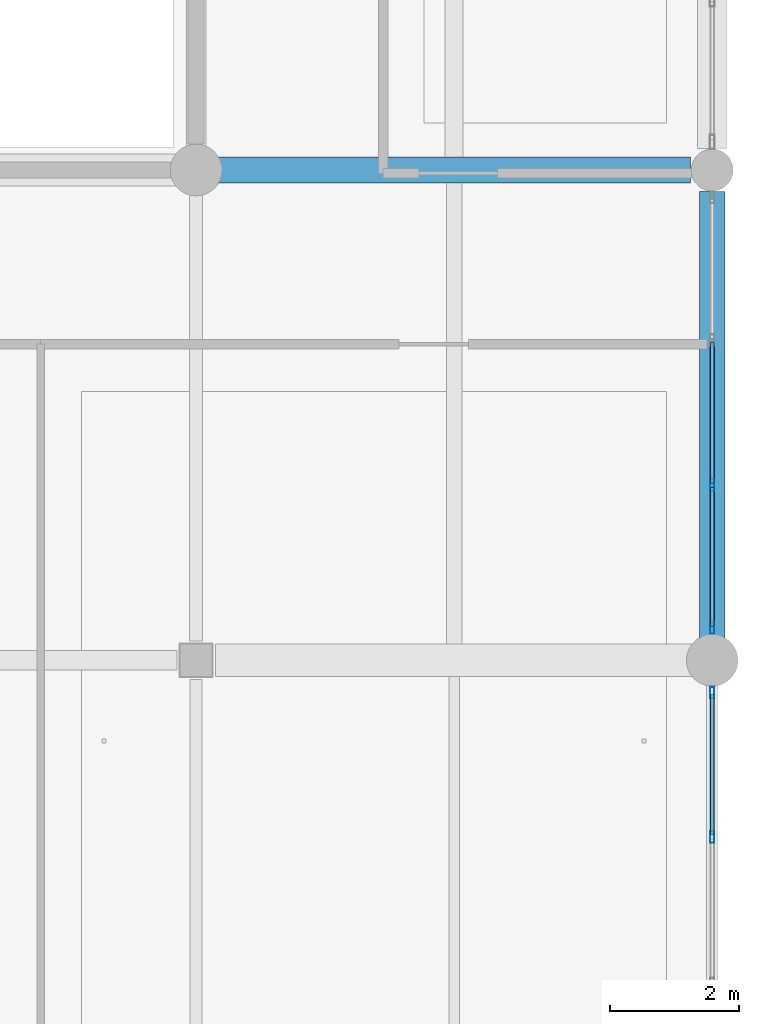
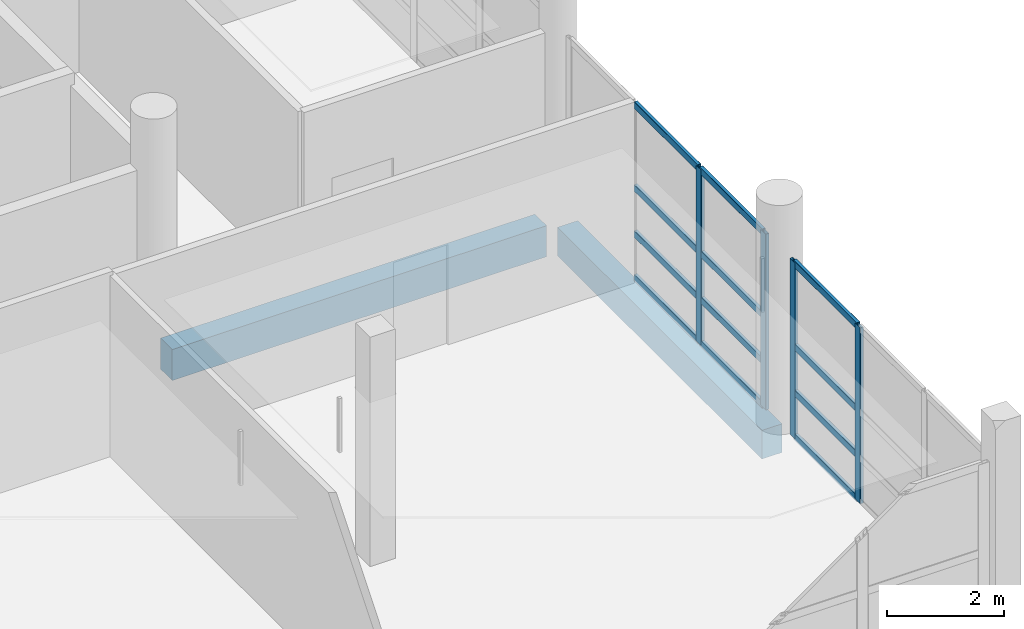
# One storey, part 20 of 46: 16 members, 2 beams, 2 elements without a shape of their own.
"""IFC4 building model written with IfcOpenShell, lengths in metres."""

from ifc_helpers import new_model, si_unit, direction, frame, origin, origin_2d, place, context, subcontext, project, spatial, rectangle, hollow_rectangle, extrude, material, material_profile, profile_set, type_object, element, aggregate, save


model = new_model("IFC4")

# Units and contexts
model_context = context("Model", 3, precision=1e-05, world=origin(), true_north=direction((0.0, 1.0)))
body_context = subcontext(model_context, "Body", "Model", "MODEL_VIEW")
ifc_project = project(units=[si_unit("LENGTHUNIT", "METRE"), si_unit("AREAUNIT", "SQUARE_METRE"), si_unit("VOLUMEUNIT", "CUBIC_METRE"), si_unit("PLANEANGLEUNIT", "RADIAN"), si_unit("MASSUNIT", "GRAM", prefix="KILO")], contexts=[model_context])

# Site, building, storey
site_placement = place(None, origin())
site = spatial("IfcSite", under=ifc_project, at=site_placement, CompositionType="ELEMENT")
building_placement = place(site_placement, origin())
building = spatial("IfcBuilding", under=site, at=building_placement, Name="Khelvaren Railside Concert Hall", CompositionType="ELEMENT")
storey_placement = place(building_placement, frame((0.0, 0.0, 19.800048828125)))
storey = spatial("IfcBuildingStorey", under=building, at=storey_placement, Name="L04", CompositionType="ELEMENT", Elevation=19.800048828125)

# Beam
ifc_material_1 = material(Name="Concrete C40/50", Category="concrete")
ifc_material_profile_1 = material_profile(ifc_material_1, rectangle(XDim=0.39990234375, YDim=0.64990234375, at=origin_2d()), Name="RCB 400x650")
ifc_profile_set_1 = profile_set([ifc_material_profile_1], Name="Concrete C40/50")
beam_type_1 = type_object("IfcBeamType", Name="BM33", PredefinedType="BEAM", material=ifc_profile_set_1)
beam_1_placement = place(storey_placement, frame((176.25, 106.39990234375, -0.594970703125), z_axis=(1.0, 0.0, 0.0), x_axis=(0.0, 1.0, 0.0)))
element("IfcBeam", 1, at=beam_1_placement, inside=storey, type_object=beam_type_1, Name="V5 L04 Beam X4.7", PredefinedType="BEAM", context=body_context, shape_type="SweptSolid", body=[
    extrude(rectangle(XDim=0.39990234375, YDim=0.64990234375, at=origin_2d()), origin(), (0.0, 0.0, 1.0), 7.4140625),
])

# Curtain wall, members
ifc_material_2 = material(Name="Double-glazed low-E dark acoustic glass", Category="glass")
curtain_wall_type_1 = type_object("IfcCurtainWallType", Name="CW32", PredefinedType="USERDEFINED", material=ifc_material_2)
curtain_wall_1_placement = place(storey_placement, origin())
curtain_wall_1 = element("IfcCurtainWall", 2, at=curtain_wall_1_placement, inside=storey, type_object=curtain_wall_type_1, Name="Unitised Curtain Wall CW-V5-L04-E-91", ObjectType="UNITISED CURTAIN WALL", PredefinedType="USERDEFINED")
ifc_material_3 = material(Name="Anodised architectural aluminium 6063-T6", Category="aluminium")
ifc_material_profile_2 = material_profile(ifc_material_3, hollow_rectangle(XDim=0.06494140625, YDim=0.179931640625, WallThickness=0.00390625, InnerFilletRadius=0.001953125, OuterFilletRadius=0.00390625, at=origin_2d()), Name="CWM 65x180x4")
ifc_profile_set_2 = profile_set([ifc_material_profile_2], Name="Anodised architectural aluminium 6063-T6")
member_type_1 = type_object("IfcMemberType", Name="CWM63", PredefinedType="MULLION", material=ifc_profile_set_2)
member_1_placement = place(storey_placement, frame((184.0, 98.300048828125, 0.0), z_axis=(0.0, 0.0, 1.0), x_axis=(1.0, 0.0, 0.0)))
member_1 = element("IfcMember", 3, at=member_1_placement, type_object=member_type_1, Name="CW32 mullion 1", PredefinedType="MULLION", context=body_context, shape_type="SweptSolid", body=[
    extrude(hollow_rectangle(XDim=0.06494140625, YDim=0.179931640625, WallThickness=0.00390625, InnerFilletRadius=0.001953125, OuterFilletRadius=0.00390625, at=origin_2d()), origin(), (0.0, 0.0, 1.0), 3.679931640625),
])
member_2_placement = place(storey_placement, frame((184.0, 96.060791015625, 0.0), z_axis=(0.0, 0.0, 1.0), x_axis=(1.0, 0.0, 0.0)))
member_2 = element("IfcMember", 4, at=member_2_placement, type_object=member_type_1, Name="CW32 mullion 2", PredefinedType="MULLION", context=body_context, shape_type="SweptSolid", body=[
    extrude(hollow_rectangle(XDim=0.06494140625, YDim=0.179931640625, WallThickness=0.00390625, InnerFilletRadius=0.001953125, OuterFilletRadius=0.00390625, at=origin_2d()), origin(), (0.0, 0.0, 1.0), 3.679931640625),
])

curtain_wall_type_2 = type_object("IfcCurtainWallType", Name="CW94", PredefinedType="USERDEFINED", material=ifc_material_2)
curtain_wall_2_placement = place(storey_placement, origin())
curtain_wall_2 = element("IfcCurtainWall", 5, at=curtain_wall_2_placement, inside=storey, type_object=curtain_wall_type_2, Name="Unitised Curtain Wall CW-V5-L04-E-99", ObjectType="UNITISED CURTAIN WALL", PredefinedType="USERDEFINED")
member_3_placement = place(storey_placement, frame((184.0, 101.51416015625, 0.0), z_axis=(0.0, 0.0, 1.0), x_axis=(1.0, 0.0, 0.0)))
member_3 = element("IfcMember", 6, at=member_3_placement, type_object=member_type_1, Name="CW94 mullion 3", PredefinedType="MULLION", context=body_context, shape_type="SweptSolid", body=[
    extrude(hollow_rectangle(XDim=0.06494140625, YDim=0.179931640625, WallThickness=0.00390625, InnerFilletRadius=0.001953125, OuterFilletRadius=0.00390625, at=origin_2d()), origin(), (0.0, 0.0, 1.0), 3.679931640625),
])
member_4_placement = place(storey_placement, frame((184.0, 99.300048828125, 0.0), z_axis=(0.0, 0.0, 1.0), x_axis=(1.0, 0.0, 0.0)))
member_4 = element("IfcMember", 7, at=member_4_placement, type_object=member_type_1, Name="CW94 mullion 4", PredefinedType="MULLION", context=body_context, shape_type="SweptSolid", body=[
    extrude(hollow_rectangle(XDim=0.06494140625, YDim=0.179931640625, WallThickness=0.00390625, InnerFilletRadius=0.001953125, OuterFilletRadius=0.00390625, at=origin_2d()), origin(), (0.0, 0.0, 1.0), 3.679931640625),
])

# Member
ifc_material_profile_3 = material_profile(ifc_material_3, hollow_rectangle(XDim=0.06494140625, YDim=0.139892578125, WallThickness=0.00390625, InnerFilletRadius=0.001953125, OuterFilletRadius=0.00390625, at=origin_2d()), Name="CWT 65x140x4")
ifc_profile_set_3 = profile_set([ifc_material_profile_3], Name="Anodised architectural aluminium 6063-T6")
member_type_2 = type_object("IfcMemberType", Name="CWT72", PredefinedType="USERDEFINED", material=ifc_profile_set_3)
member_5_placement = place(storey_placement, frame((184.0, 98.267578125, 0.032470703125), z_axis=(0.0, -1.0, 0.0), x_axis=(1.0, 0.0, 0.0)))
member_5 = element("IfcMember", 8, at=member_5_placement, type_object=member_type_2, Name="CW32 transom 1.1", ObjectType="TRANSOM", PredefinedType="USERDEFINED", context=body_context, shape_type="SweptSolid", body=[
    extrude(hollow_rectangle(XDim=0.06494140625, YDim=0.139892578125, WallThickness=0.00390625, InnerFilletRadius=0.001953125, OuterFilletRadius=0.00390625, at=origin_2d()), origin(), (0.0, 0.0, 1.0), 2.17431640625),
])

member_6_placement = place(storey_placement, frame((184.0, 98.267578125, 0.949951171875), z_axis=(0.0, -1.0, 0.0), x_axis=(1.0, 0.0, 0.0)))
member_6 = element("IfcMember", 9, at=member_6_placement, type_object=member_type_2, Name="CW32 transom 1.2", ObjectType="TRANSOM", PredefinedType="USERDEFINED", context=body_context, shape_type="SweptSolid", body=[
    extrude(hollow_rectangle(XDim=0.06494140625, YDim=0.139892578125, WallThickness=0.00390625, InnerFilletRadius=0.001953125, OuterFilletRadius=0.00390625, at=origin_2d()), origin(), (0.0, 0.0, 1.0), 2.17431640625),
])

member_7_placement = place(storey_placement, frame((184.0, 98.267578125, 1.91357421875), z_axis=(0.0, -1.0, 0.0), x_axis=(1.0, 0.0, 0.0)))
member_7 = element("IfcMember", 10, at=member_7_placement, type_object=member_type_2, Name="CW32 transom 1.3", ObjectType="TRANSOM", PredefinedType="USERDEFINED", context=body_context, shape_type="SweptSolid", body=[
    extrude(hollow_rectangle(XDim=0.06494140625, YDim=0.139892578125, WallThickness=0.00390625, InnerFilletRadius=0.001953125, OuterFilletRadius=0.00390625, at=origin_2d()), origin(), (0.0, 0.0, 1.0), 2.17431640625),
])

member_8_placement = place(storey_placement, frame((184.0, 98.267578125, 3.6474609375), z_axis=(0.0, -1.0, 0.0), x_axis=(1.0, 0.0, 0.0)))
member_8 = element("IfcMember", 11, at=member_8_placement, type_object=member_type_2, Name="CW32 transom 1.4", ObjectType="TRANSOM", PredefinedType="USERDEFINED", context=body_context, shape_type="SweptSolid", body=[
    extrude(hollow_rectangle(XDim=0.06494140625, YDim=0.139892578125, WallThickness=0.00390625, InnerFilletRadius=0.001953125, OuterFilletRadius=0.00390625, at=origin_2d()), origin(), (0.0, 0.0, 1.0), 2.17431640625),
])

aggregate(curtain_wall_1, [member_1, member_2, member_5, member_6, member_7, member_8])

member_9_placement = place(storey_placement, frame((184.0, 103.728271484375, 0.032470703125), z_axis=(0.0, -1.0, 0.0), x_axis=(1.0, 0.0, 0.0)))
member_9 = element("IfcMember", 12, at=member_9_placement, type_object=member_type_2, Name="CW94 transom 2.1", ObjectType="TRANSOM", PredefinedType="USERDEFINED", context=body_context, shape_type="SweptSolid", body=[
    extrude(hollow_rectangle(XDim=0.06494140625, YDim=0.139892578125, WallThickness=0.00390625, InnerFilletRadius=0.001953125, OuterFilletRadius=0.00390625, at=origin_2d()), origin(), (0.0, 0.0, 1.0), 2.181640625),
])

member_10_placement = place(storey_placement, frame((184.0, 103.728271484375, 0.949951171875), z_axis=(0.0, -1.0, 0.0), x_axis=(1.0, 0.0, 0.0)))
member_10 = element("IfcMember", 13, at=member_10_placement, type_object=member_type_2, Name="CW94 transom 2.2", ObjectType="TRANSOM", PredefinedType="USERDEFINED", context=body_context, shape_type="SweptSolid", body=[
    extrude(hollow_rectangle(XDim=0.06494140625, YDim=0.139892578125, WallThickness=0.00390625, InnerFilletRadius=0.001953125, OuterFilletRadius=0.00390625, at=origin_2d()), origin(), (0.0, 0.0, 1.0), 2.181640625),
])

member_11_placement = place(storey_placement, frame((184.0, 103.728271484375, 1.91357421875), z_axis=(0.0, -1.0, 0.0), x_axis=(1.0, 0.0, 0.0)))
member_11 = element("IfcMember", 14, at=member_11_placement, type_object=member_type_2, Name="CW94 transom 2.3", ObjectType="TRANSOM", PredefinedType="USERDEFINED", context=body_context, shape_type="SweptSolid", body=[
    extrude(hollow_rectangle(XDim=0.06494140625, YDim=0.139892578125, WallThickness=0.00390625, InnerFilletRadius=0.001953125, OuterFilletRadius=0.00390625, at=origin_2d()), origin(), (0.0, 0.0, 1.0), 2.181640625),
])

member_12_placement = place(storey_placement, frame((184.0, 103.728271484375, 3.6474609375), z_axis=(0.0, -1.0, 0.0), x_axis=(1.0, 0.0, 0.0)))
member_12 = element("IfcMember", 15, at=member_12_placement, type_object=member_type_2, Name="CW94 transom 2.4", ObjectType="TRANSOM", PredefinedType="USERDEFINED", context=body_context, shape_type="SweptSolid", body=[
    extrude(hollow_rectangle(XDim=0.06494140625, YDim=0.139892578125, WallThickness=0.00390625, InnerFilletRadius=0.001953125, OuterFilletRadius=0.00390625, at=origin_2d()), origin(), (0.0, 0.0, 1.0), 2.181640625),
])

member_13_placement = place(storey_placement, frame((184.0, 101.481689453125, 0.032470703125), z_axis=(0.0, -1.0, 0.0), x_axis=(1.0, 0.0, 0.0)))
member_13 = element("IfcMember", 16, at=member_13_placement, type_object=member_type_2, Name="CW94 transom 3.1", ObjectType="TRANSOM", PredefinedType="USERDEFINED", context=body_context, shape_type="SweptSolid", body=[
    extrude(hollow_rectangle(XDim=0.06494140625, YDim=0.139892578125, WallThickness=0.00390625, InnerFilletRadius=0.001953125, OuterFilletRadius=0.00390625, at=origin_2d()), origin(), (0.0, 0.0, 1.0), 2.149169921875),
])

member_14_placement = place(storey_placement, frame((184.0, 101.481689453125, 0.949951171875), z_axis=(0.0, -1.0, 0.0), x_axis=(1.0, 0.0, 0.0)))
member_14 = element("IfcMember", 17, at=member_14_placement, type_object=member_type_2, Name="CW94 transom 3.2", ObjectType="TRANSOM", PredefinedType="USERDEFINED", context=body_context, shape_type="SweptSolid", body=[
    extrude(hollow_rectangle(XDim=0.06494140625, YDim=0.139892578125, WallThickness=0.00390625, InnerFilletRadius=0.001953125, OuterFilletRadius=0.00390625, at=origin_2d()), origin(), (0.0, 0.0, 1.0), 2.149169921875),
])

member_15_placement = place(storey_placement, frame((184.0, 101.481689453125, 1.91357421875), z_axis=(0.0, -1.0, 0.0), x_axis=(1.0, 0.0, 0.0)))
member_15 = element("IfcMember", 18, at=member_15_placement, type_object=member_type_2, Name="CW94 transom 3.3", ObjectType="TRANSOM", PredefinedType="USERDEFINED", context=body_context, shape_type="SweptSolid", body=[
    extrude(hollow_rectangle(XDim=0.06494140625, YDim=0.139892578125, WallThickness=0.00390625, InnerFilletRadius=0.001953125, OuterFilletRadius=0.00390625, at=origin_2d()), origin(), (0.0, 0.0, 1.0), 2.149169921875),
])

member_16_placement = place(storey_placement, frame((184.0, 101.481689453125, 3.6474609375), z_axis=(0.0, -1.0, 0.0), x_axis=(1.0, 0.0, 0.0)))
member_16 = element("IfcMember", 19, at=member_16_placement, type_object=member_type_2, Name="CW94 transom 3.4", ObjectType="TRANSOM", PredefinedType="USERDEFINED", context=body_context, shape_type="SweptSolid", body=[
    extrude(hollow_rectangle(XDim=0.06494140625, YDim=0.139892578125, WallThickness=0.00390625, InnerFilletRadius=0.001953125, OuterFilletRadius=0.00390625, at=origin_2d()), origin(), (0.0, 0.0, 1.0), 2.149169921875),
])

aggregate(curtain_wall_2, [member_3, member_4, member_9, member_10, member_11, member_12, member_13, member_14, member_15, member_16])

# Beam
ifc_material_profile_4 = material_profile(ifc_material_1, rectangle(XDim=0.39990234375, YDim=0.60009765625, at=origin_2d()), Name="RCB 400x600")
ifc_profile_set_4 = profile_set([ifc_material_profile_4], Name="Concrete C40/50")
beam_type_2 = type_object("IfcBeamType", Name="SP75", PredefinedType="SPANDREL", material=ifc_profile_set_4)
beam_2_placement = place(storey_placement, frame((184.0, 99.050048828125, -0.570068359375), z_axis=(0.0, 1.0, 0.0), x_axis=(-1.0, 0.0, 0.0)))
element("IfcBeam", 20, at=beam_2_placement, inside=storey, type_object=beam_type_2, Name="V5 L04 Spandrel Y8.3", PredefinedType="SPANDREL", context=body_context, shape_type="SweptSolid", body=[
    extrude(rectangle(XDim=0.39990234375, YDim=0.60009765625, at=origin_2d()), origin(), (0.0, 0.0, 1.0), 7.013916015625),
])

save(model, "model.ifc")
